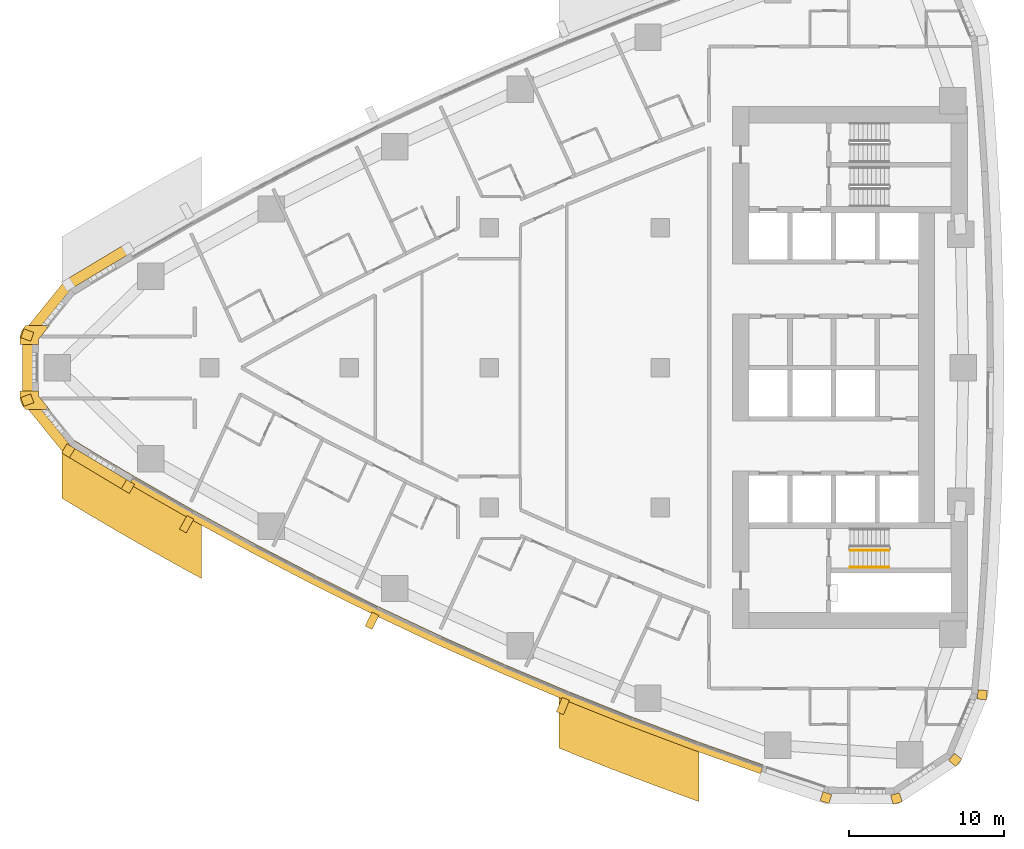
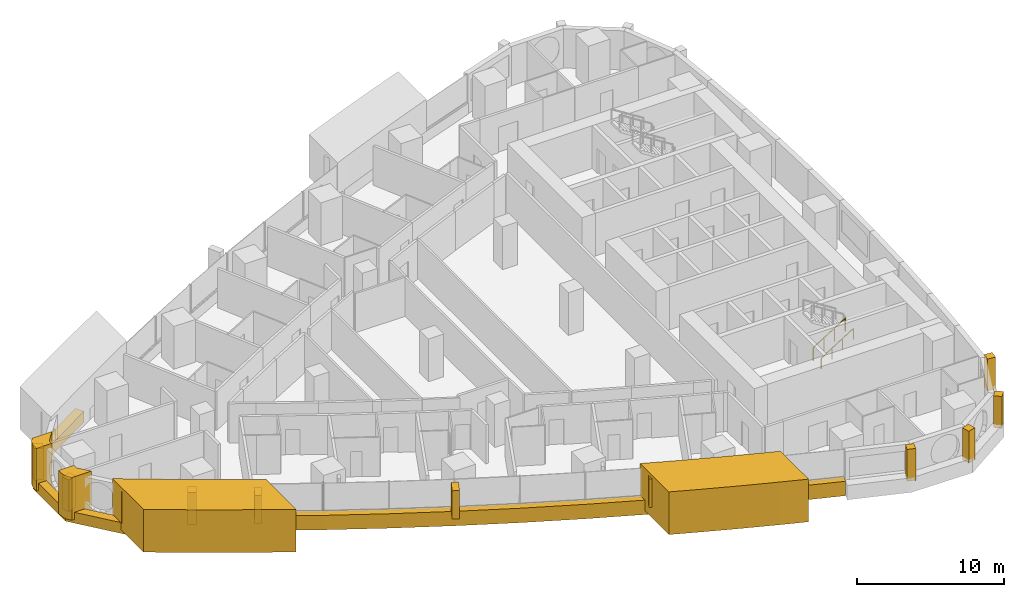
# One storey, part 14 of 17: 17 coverings, 2 railings.
"""IFC4 building model written with IfcOpenShell, lengths in metres."""

from ifc_helpers import new_model, si_unit, direction, frame, frame_2d, origin, origin_2d, place, context, subcontext, project, spatial, polyline, rectangle, circle, outline, extrude, material, layer, layer_set, type_object, element, save


model = new_model("IFC4")

# Units and contexts
model_context = context("Model", 3, precision=1e-05, world=origin(), true_north=direction((0.0, 1.0)))
body_context = subcontext(model_context, "Body", "Model", "MODEL_VIEW")
ifc_project = project(units=[si_unit("LENGTHUNIT", "METRE"), si_unit("AREAUNIT", "SQUARE_METRE"), si_unit("VOLUMEUNIT", "CUBIC_METRE"), si_unit("PLANEANGLEUNIT", "RADIAN"), si_unit("MASSUNIT", "GRAM", prefix="KILO")], contexts=[model_context])

# Site, building, storey
site_placement = place(None, origin())
site = spatial("IfcSite", under=ifc_project, at=site_placement, CompositionType="ELEMENT")
building_placement = place(site_placement, origin())
building = spatial("IfcBuilding", under=site, at=building_placement, Name="Ostrand Prow Hotel Tower", CompositionType="ELEMENT")
storey_placement = place(building_placement, frame((0.0, 0.0, 109.75)))
storey = spatial("IfcBuildingStorey", under=building, at=storey_placement, Name="L26", CompositionType="ELEMENT", Elevation=109.75)

# Coverings
ifc_material_1 = material(Name="Bronze anodised aluminium cladding", Category="aluminium")
ifc_layer_1 = layer(ifc_material_1, 0.60009765625)
ifc_layer_set_1 = layer_set([ifc_layer_1], Name="Bronze anodised aluminium cladding")
covering_type_1 = type_object("IfcCoveringType", Name="Bronze prow band 899x600", PredefinedType="CLADDING", material=ifc_layer_set_1)
covering_1_placement = place(storey_placement, frame((0.0, 0.0, -0.300048828125)))
element("IfcCovering", 1, at=covering_1_placement, inside=storey, type_object=covering_type_1, Name="Bronze prow band", PredefinedType="CLADDING", context=body_context, shape_type="SweptSolid", body=[
    extrude(outline(polyline([(10.580810546875, 7.9453125), (6.734130859375, 5.637939453125), (3.957763671875, 2.206787109375), (3.957763671875, -2.206787109375), (6.734130859375, -5.637939453125), (10.580810546875, -7.9453125), (10.9248046875, -7.358642578125), (7.089599609375, -5.058349609375), (4.598876953125, -1.97998046875), (4.598876953125, 1.97998046875), (7.089599609375, 5.058349609375), (10.9248046875, 7.358642578125), (10.580810546875, 7.9453125)])), origin(), (0.0, 0.0, 1.0), 0.900146484375),
])
ifc_material_2 = material(Name="Bronze anodised aluminium cladding", Category="aluminium")
ifc_layer_2 = layer(ifc_material_2, 0.60009765625)
ifc_layer_set_2 = layer_set([ifc_layer_2], Name="Bronze anodised aluminium cladding")
covering_type_2 = type_object("IfcCoveringType", Name="Bronze spandrel band 1200x600", PredefinedType="CLADDING", material=ifc_layer_set_2)
covering_2_placement = place(storey_placement, frame((0.0, 0.0, -0.300048828125)))
element("IfcCovering", 2, at=covering_2_placement, inside=storey, type_object=covering_type_2, Name="Spandrel band S1", PredefinedType="CLADDING", context=body_context, shape_type="SweptSolid", body=[
    extrude(outline(polyline([(10.841064453125, -7.50146484375), (14.72412109375, -9.726318359375), (18.651123046875, -11.872802734375), (22.620361328125, -13.940185546875), (26.6298828125, -15.927734375), (30.6787109375, -17.834716796875), (34.764892578125, -19.659912109375), (38.88671875, -21.4033203125), (43.042724609375, -23.0634765625), (47.231201171875, -24.64013671875), (51.4501953125, -26.1328125), (51.644775390625, -25.56494140625), (47.43701171875, -24.076416015625), (43.259765625, -22.504150390625), (39.114990234375, -20.848388671875), (35.004150390625, -19.10986328125), (30.928955078125, -17.289306640625), (26.89111328125, -15.3876953125), (22.89208984375, -13.4052734375), (18.93359375, -11.343505859375), (15.01708984375, -9.20263671875), (11.144287109375, -6.98388671875), (10.841064453125, -7.50146484375)])), origin(), (0.0, 0.0, 1.0), 1.199951171875),
])
ifc_material_3 = material(Name="Limestone cladding", Category="masonry")
ifc_layer_3 = layer(ifc_material_3, 5.0)
ifc_layer_set_3 = layer_set([ifc_layer_3], Name="Limestone cladding")
covering_type_3 = type_object("IfcCoveringType", Name="Portal jamb pilaster limestone", PredefinedType="CLADDING", material=ifc_layer_set_3)
covering_3_placement = place(storey_placement, origin())
element("IfcCovering", 3, at=covering_3_placement, inside=storey, type_object=covering_type_3, Name="Portal jamb SA L26", PredefinedType="CLADDING", context=body_context, shape_type="SweptSolid", body=[
    extrude(outline(polyline([(6.5, -4.184326171875), (6.5, -8.40625), (7.5, -9.0087890625), (8.5, -9.604248046875), (9.5, -10.19287109375), (10.5, -10.7744140625), (11.5, -11.349365234375), (12.5, -11.91748046875), (13.5, -12.478759765625), (14.5, -13.03369140625), (15.5, -13.581787109375), (15.5, -9.47216796875), (14.5, -8.912353515625), (13.5, -8.345703125), (12.5, -7.772216796875), (11.5, -7.19189453125), (10.5, -6.6044921875), (9.5, -6.01025390625), (8.5, -5.40869140625), (7.5, -4.80029296875), (6.5, -4.184326171875)])), origin(), (0.0, 0.0, 1.0), 3.550048828125),
])
covering_4_placement = place(storey_placement, origin())
element("IfcCovering", 4, at=covering_4_placement, inside=storey, type_object=covering_type_3, Name="Portal jamb SB L26", PredefinedType="CLADDING", context=body_context, shape_type="SweptSolid", body=[
    extrude(outline(polyline([(38.5, -20.59423828125), (38.5, -24.486083984375), (39.5, -24.890380859375), (40.5, -25.2890625), (41.5, -25.68212890625), (42.5, -26.06982421875), (43.5, -26.4521484375), (44.5, -26.8291015625), (45.5, -27.200439453125), (46.5, -27.566650390625), (47.5, -27.927490234375), (47.5, -24.099609375), (46.5, -23.732177734375), (45.5, -23.359130859375), (44.5, -22.98095703125), (43.5, -22.59716796875), (42.5, -22.207763671875), (41.5, -21.812744140625), (40.5, -21.412353515625), (39.5, -21.006103515625), (38.5, -20.59423828125)])), origin(), (0.0, 0.0, 1.0), 3.550048828125),
])
ifc_material_4 = material(Name="Limestone cladding", Category="masonry")
ifc_layer_4 = layer(ifc_material_4, 0.5)
ifc_layer_set_4 = layer_set([ifc_layer_4], Name="Limestone cladding")
covering_type_4 = type_object("IfcCoveringType", Name="Precast stone fin 500x900", PredefinedType="CLADDING", material=ifc_layer_set_4)
for number, where, z_axis, x_axis, name in (
    (5, (14.77294921875, -9.638916015625, 0.89990234375), (0.0, 0.0, 1.0), (-0.48823165008, -0.872714074517, 0.0), "Stone fin S 2"),
    (6, (26.673583984375, -15.837646484375, 0.89990234375), (0.0, 0.0, 1.0), (-0.435261006131, -0.900304313298, 0.0), "Stone fin S 5"),
    (7, (38.9248046875, -21.310791015625, 0.89990234375), (0.0, 0.0, 1.0), (-0.380172536546, -0.924915586665, 0.0), "Stone fin S 8"),
):
    element("IfcCovering", number, at=place(storey_placement, frame(where, z_axis=z_axis, x_axis=x_axis)), inside=storey, type_object=covering_type_4, Name=name, PredefinedType="CLADDING", context=body_context, shape_type="SweptSolid", body=[
        extrude(rectangle(XDim=1.0, YDim=0.5, at=frame_2d((0.5, 0.0))), origin(), (0.0, 0.0, 1.0), 2.35009765625),
    ])
ifc_material_5 = material(Name="Limestone cladding", Category="masonry")
ifc_layer_5 = layer(ifc_material_5, 0.60009765625)
ifc_layer_set_5 = layer_set([ifc_layer_5], Name="Limestone cladding")
covering_type_5 = type_object("IfcCoveringType", Name="Precast stone prow rib 600x600", PredefinedType="CLADDING", material=ifc_layer_set_5)
for number, where, z_axis, x_axis, name in (
    (8, (4.598876953125, 1.97998046875, 0.60009765625), (0.0, 0.0, 1.0), (-0.942744850171, 0.333514838465, 0.0), "Stone prow rib 3"),
    (9, (4.598876953125, -1.97998046875, 0.60009765625), (0.0, 0.0, 1.0), (-0.942744850171, -0.333514838465, 0.0), "Stone prow rib 4"),
    (10, (7.089599609375, -5.058349609375, 0.60009765625), (0.0, 0.0, 1.0), (-0.522814637618, -0.852446394029, 0.0), "Stone prow rib 5"),
):
    element("IfcCovering", number, at=place(storey_placement, frame(where, z_axis=z_axis, x_axis=x_axis)), inside=storey, type_object=covering_type_5, Name=name, PredefinedType="CLADDING", context=body_context, shape_type="SweptSolid", body=[
        extrude(rectangle(XDim=0.679931640625, YDim=0.60009765625, at=frame_2d((0.33984375, 0.0))), origin(), (0.0, 0.0, 1.0), 2.64990234375),
    ])
covering_5_placement = place(storey_placement, frame((10.9248046875, -7.358642578125, 0.60009765625), z_axis=(0.0, 0.0, 1.0), x_axis=(-0.505811626043, -0.862643958397, 0.0)))
element("IfcCovering", 11, at=covering_5_placement, inside=storey, type_object=covering_type_5, Name="Stone prow rib 6", PredefinedType="CLADDING", context=body_context, shape_type="SweptSolid", body=[
    extrude(rectangle(XDim=0.68017578125, YDim=0.60009765625, at=frame_2d((0.340087890625, 0.0))), origin(), (0.0, 0.0, 1.0), 2.64990234375),
])
covering_6_placement = place(storey_placement, frame((55.7490234375, -27.3828125, 0.60009765625), z_axis=(0.0, 0.0, 1.0), x_axis=(-0.305218682065, -0.952282288042, 0.0)))
element("IfcCovering", 12, at=covering_6_placement, inside=storey, type_object=covering_type_5, Name="Stone corner rib 2a", PredefinedType="CLADDING", context=body_context, shape_type="SweptSolid", body=[
    extrude(rectangle(XDim=0.599853515625, YDim=0.60009765625, at=frame_2d((0.2998046875, 0.0))), origin(), (0.0, 0.0, 1.0), 2.64990234375),
])
covering_7_placement = place(storey_placement, frame((60.104736328125, -27.437744140625, 0.60009765625), z_axis=(0.0, 0.0, 1.0), x_axis=(0.280734221166, -0.959785547436, 0.0)))
element("IfcCovering", 13, at=covering_7_placement, inside=storey, type_object=covering_type_5, Name="Stone corner rib 3a", PredefinedType="CLADDING", context=body_context, shape_type="SweptSolid", body=[
    extrude(rectangle(XDim=0.60009765625, YDim=0.60009765625, at=frame_2d((0.300048828125, 0.0))), origin(), (0.0, 0.0, 1.0), 2.64990234375),
])
for number, where, z_axis, x_axis, name in (
    (14, (63.74365234375, -25.043212890625, 0.60009765625), (0.0, 0.0, 1.0), (0.770318500913, -0.637659319034, 0.0), "Stone corner rib 4a"),
    (15, (65.41650390625, -21.02099609375, 0.60009765625), (0.0, 0.0, 1.0), (0.99529571972, -0.096883591531, 0.0), "Stone corner rib 4b"),
):
    element("IfcCovering", number, at=place(storey_placement, frame(where, z_axis=z_axis, x_axis=x_axis)), inside=storey, type_object=covering_type_5, Name=name, PredefinedType="CLADDING", context=body_context, shape_type="SweptSolid", body=[
        extrude(rectangle(XDim=0.599853515625, YDim=0.60009765625, at=frame_2d((0.2998046875, 0.0))), origin(), (0.0, 0.0, 1.0), 2.64990234375),
    ])
ifc_material_6 = material(Name="Limestone cladding", Category="masonry")
ifc_layer_6 = layer(ifc_material_6, 3.0)
ifc_layer_set_6 = layer_set([ifc_layer_6], Name="Limestone cladding")
covering_type_6 = type_object("IfcCoveringType", Name="Prow nose pier limestone", PredefinedType="CLADDING", material=ifc_layer_set_6)
covering_8_placement = place(storey_placement, origin())
element("IfcCovering", 16, at=covering_8_placement, inside=storey, type_object=covering_type_6, Name="Prow spine fin N L26", PredefinedType="CLADDING", context=body_context, shape_type="SweptSolid", body=[
    extrude(outline(polyline([(3.808349609375, 1.8349609375), (3.808349609375, 1.5), (5.00830078125, 1.5), (5.00830078125, 1.8349609375), (5.708251953125, 2.699951171875), (4.16455078125, 2.699951171875), (4.075439453125, 2.58984375), (4.006591796875, 2.495849609375), (3.947265625, 2.3955078125), (3.897705078125, 2.289794921875), (3.85888671875, 2.179931640625), (3.830810546875, 2.06689453125), (3.81396484375, 1.951416015625), (3.808349609375, 1.8349609375)])), origin(), (0.0, 0.0, 1.0), 3.550048828125),
])
covering_9_placement = place(storey_placement, origin())
element("IfcCovering", 17, at=covering_9_placement, inside=storey, type_object=covering_type_6, Name="Prow spine fin S L26", PredefinedType="CLADDING", context=body_context, shape_type="SweptSolid", body=[
    extrude(outline(polyline([(4.075439453125, -2.58984375), (4.16455078125, -2.699951171875), (5.708251953125, -2.699951171875), (5.00830078125, -1.8349609375), (5.00830078125, -1.5), (3.808349609375, -1.5), (3.808349609375, -1.8349609375), (3.81396484375, -1.951416015625), (3.830810546875, -2.06689453125), (3.85888671875, -2.179931640625), (3.897705078125, -2.289794921875), (3.947265625, -2.3955078125), (4.006591796875, -2.495849609375), (4.075439453125, -2.58984375)])), origin(), (0.0, 0.0, 1.0), 3.550048828125),
])

# Railings
ifc_material_7 = material(Name="Painted steel", Category="steel")
railing_type_1 = type_object("IfcRailingType", Name="Stair guard 1100", PredefinedType="GUARDRAIL", material=ifc_material_7)
railing_1_placement = place(storey_placement, frame((57.199951171875, -11.75, 0.177490234375)))
element("IfcRailing", 18, at=railing_1_placement, inside=storey, type_object=railing_type_1, Name="L26 ST2C stair guard 1", PredefinedType="GUARDRAIL", context=body_context, shape_type="SweptSolid", body=[
    extrude(circle(Radius=0.02392578125, at=origin_2d()), frame((0.0, 0.0, 1.076171875), z_axis=(0.84460694969, 0.0, 0.535386869969), x_axis=(0.0, 1.0, 0.0)), (0.0, 0.0, 1.0), 2.983642578125),
    extrude(circle(Radius=0.02099609375, at=origin_2d()), origin(), (0.0, 0.0, 1.0), 1.052001953125),
    extrude(circle(Radius=0.02099609375, at=origin_2d()), frame((0.840087890625, 0.0, 0.532470703125)), (0.0, 0.0, 1.0), 1.052001953125),
    extrude(circle(Radius=0.02099609375, at=origin_2d()), frame((1.679931640625, 0.0, 1.06494140625)), (0.0, 0.0, 1.0), 1.052001953125),
    extrude(circle(Radius=0.02099609375, at=origin_2d()), frame((2.52001953125, 0.0, 1.597412109375)), (0.0, 0.0, 1.0), 1.052001953125),
])
ifc_material_8 = material(Name="Stainless steel", Category="steel")
railing_type_2 = type_object("IfcRailingType", Name="Stair handrail 900", PredefinedType="HANDRAIL", material=ifc_material_8)
railing_2_placement = place(storey_placement, frame((57.199951171875, -12.85009765625, 0.177490234375)))
element("IfcRailing", 19, at=railing_2_placement, inside=storey, type_object=railing_type_2, Name="L26 ST2C stair handrail 1", PredefinedType="HANDRAIL", context=body_context, shape_type="SweptSolid", body=[
    extrude(circle(Radius=0.02392578125, at=origin_2d()), frame((0.0, 0.0, 0.8759765625), z_axis=(0.84460694969, 0.0, 0.535386869969), x_axis=(0.0, 1.0, 0.0)), (0.0, 0.0, 1.0), 2.983642578125),
    extrude(circle(Radius=0.02099609375, at=origin_2d()), origin(), (0.0, 0.0, 1.0), 0.851806640625),
    extrude(circle(Radius=0.02099609375, at=origin_2d()), frame((0.840087890625, 0.0, 0.532470703125)), (0.0, 0.0, 1.0), 0.851806640625),
    extrude(circle(Radius=0.02099609375, at=origin_2d()), frame((1.679931640625, 0.0, 1.06494140625)), (0.0, 0.0, 1.0), 0.851806640625),
    extrude(circle(Radius=0.02099609375, at=origin_2d()), frame((2.52001953125, 0.0, 1.597412109375)), (0.0, 0.0, 1.0), 0.851806640625),
])

save(model, "model.ifc")
